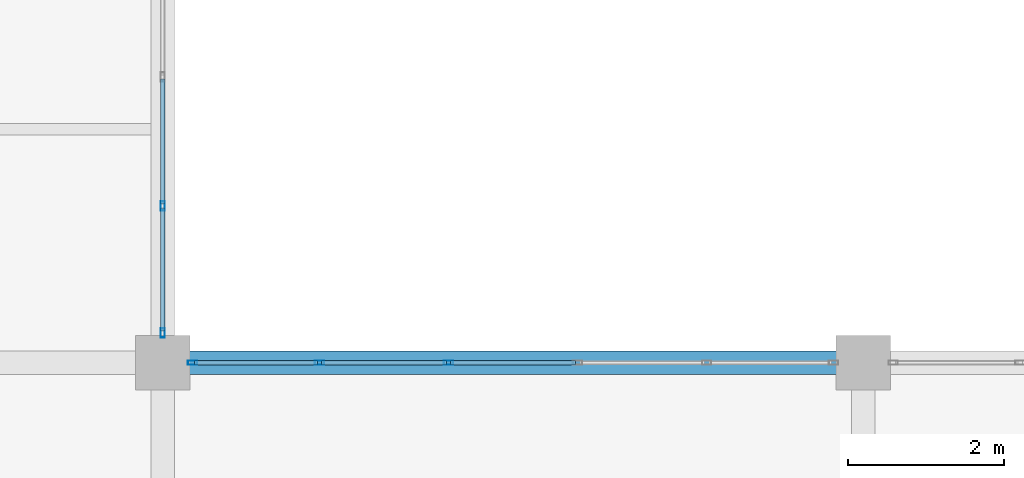
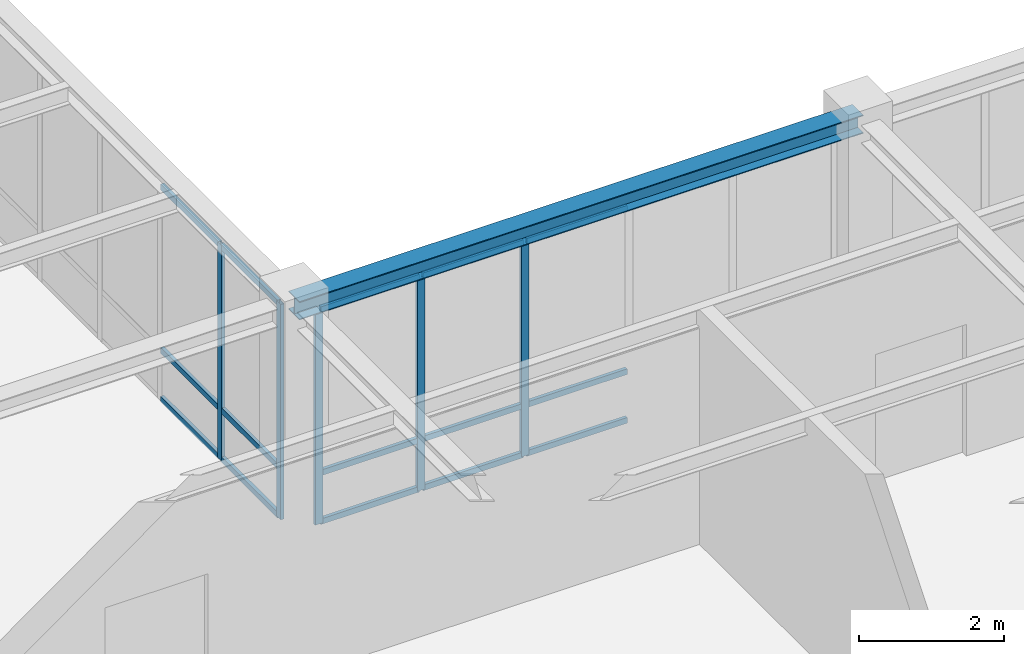
# One storey, part 50 of 108: 20 members, 1 beam, 2 elements without a shape of their own.
"""IFC4 building model written with IfcOpenShell, lengths in metres."""

from ifc_helpers import new_model, si_unit, direction, frame, origin, origin_2d, place, context, subcontext, project, spatial, hollow_rectangle, i_section, extrude, material, material_profile, profile_set, type_object, element, aggregate, save


model = new_model("IFC4")

# Units and contexts
model_context = context("Model", 3, precision=1e-05, world=origin(), true_north=direction((0.0, 1.0)))
body_context = subcontext(model_context, "Body", "Model", "MODEL_VIEW")
ifc_project = project(units=[si_unit("LENGTHUNIT", "METRE"), si_unit("AREAUNIT", "SQUARE_METRE"), si_unit("VOLUMEUNIT", "CUBIC_METRE"), si_unit("PLANEANGLEUNIT", "RADIAN"), si_unit("MASSUNIT", "GRAM", prefix="KILO")], contexts=[model_context])

# Site, building, storey
site_placement = place(None, origin())
site = spatial("IfcSite", under=ifc_project, at=site_placement, CompositionType="ELEMENT")
building_placement = place(site_placement, origin())
building = spatial("IfcBuilding", under=site, at=building_placement, Name="Lykobir Media Centre", CompositionType="ELEMENT")
storey_placement = place(building_placement, frame((0.0, 0.0, 15.0)))
storey = spatial("IfcBuildingStorey", under=building, at=storey_placement, Name="L03", CompositionType="ELEMENT", Elevation=15.0)

# Curtain wall, members
ifc_material_1 = material(Name="Anodized Aluminium AW-6060", Category="aluminium")
curtain_wall_type = type_object("IfcCurtainWallType", Name="CW-COURT-B", PredefinedType="NOTDEFINED", material=ifc_material_1)
curtain_wall_1_placement = place(storey_placement, origin())
curtain_wall_1 = element("IfcCurtainWall", 1, at=curtain_wall_1_placement, inside=storey, type_object=curtain_wall_type, Name="Curtain wall CW2-L03-0137", PredefinedType="NOTDEFINED")
ifc_material_profile_1 = material_profile(ifc_material_1, hollow_rectangle(XDim=0.054931640625, YDim=0.1201171875, WallThickness=0.003173828125, at=origin_2d()), Name="ALU MULLION 55x120")
ifc_profile_set_1 = profile_set([ifc_material_profile_1], Name="Anodized Aluminium AW-6060")
member_type_1 = type_object("IfcMemberType", Name="CWM-120", PredefinedType="MULLION", material=ifc_profile_set_1)
member_1_placement = place(storey_placement, frame((99.382568359375, 18.0, 0.0), z_axis=(0.0, 0.0, 1.0), x_axis=(0.0, 1.0, 0.0)))
member_1 = element("IfcMember", 2, at=member_1_placement, type_object=member_type_1, Name="CW2-L03-0137 mullion 1", PredefinedType="MULLION", context=body_context, shape_type="SweptSolid", body=[
    extrude(hollow_rectangle(XDim=0.054931640625, YDim=0.1201171875, WallThickness=0.003173828125, at=origin_2d()), origin(), (0.0, 0.0, 1.0), 3.635009765625),
])
member_2_placement = place(storey_placement, frame((101.012939453125, 18.0, 0.0), z_axis=(0.0, 0.0, 1.0), x_axis=(0.0, 1.0, 0.0)))
member_2 = element("IfcMember", 3, at=member_2_placement, type_object=member_type_1, Name="CW2-L03-0137 mullion 2", PredefinedType="MULLION", context=body_context, shape_type="SweptSolid", body=[
    extrude(hollow_rectangle(XDim=0.054931640625, YDim=0.1201171875, WallThickness=0.003173828125, at=origin_2d()), origin(), (0.0, 0.0, 1.0), 3.635009765625),
])
member_3_placement = place(storey_placement, frame((102.6708984375, 18.0, 0.0), z_axis=(0.0, 0.0, 1.0), x_axis=(0.0, 1.0, 0.0)))
member_3 = element("IfcMember", 4, at=member_3_placement, type_object=member_type_1, Name="CW2-L03-0137 mullion 3", PredefinedType="MULLION", context=body_context, shape_type="SweptSolid", body=[
    extrude(hollow_rectangle(XDim=0.054931640625, YDim=0.1201171875, WallThickness=0.003173828125, at=origin_2d()), origin(), (0.0, 0.0, 1.0), 3.635009765625),
])

curtain_wall_2_placement = place(storey_placement, origin())
curtain_wall_2 = element("IfcCurtainWall", 5, at=curtain_wall_2_placement, inside=storey, type_object=curtain_wall_type, Name="Curtain wall CW2-L03-0140", PredefinedType="NOTDEFINED")
member_4_placement = place(storey_placement, frame((99.0, 20.012939453125, 0.0), z_axis=(0.0, 0.0, 1.0), x_axis=(1.0, 0.0, 0.0)))
member_4 = element("IfcMember", 6, at=member_4_placement, type_object=member_type_1, Name="CW2-L03-0140 mullion 5", PredefinedType="MULLION", context=body_context, shape_type="SweptSolid", body=[
    extrude(hollow_rectangle(XDim=0.054931640625, YDim=0.1201171875, WallThickness=0.003173828125, at=origin_2d()), origin(), (0.0, 0.0, 1.0), 3.635009765625),
])
member_5_placement = place(storey_placement, frame((99.0, 18.382568359375, 0.0), z_axis=(0.0, 0.0, 1.0), x_axis=(1.0, 0.0, 0.0)))
member_5 = element("IfcMember", 7, at=member_5_placement, type_object=member_type_1, Name="CW2-L03-0140 mullion 6", PredefinedType="MULLION", context=body_context, shape_type="SweptSolid", body=[
    extrude(hollow_rectangle(XDim=0.054931640625, YDim=0.1201171875, WallThickness=0.003173828125, at=origin_2d()), origin(), (0.0, 0.0, 1.0), 3.635009765625),
])

# Member
ifc_material_profile_2 = material_profile(ifc_material_1, hollow_rectangle(XDim=0.054931640625, YDim=0.094970703125, WallThickness=0.0029296875, at=origin_2d()), Name="ALU TRANSOM 55x95")
ifc_profile_set_2 = profile_set([ifc_material_profile_2], Name="Anodized Aluminium AW-6060")
member_type_2 = type_object("IfcMemberType", Name="CWT-095", PredefinedType="USERDEFINED", material=ifc_profile_set_2)
member_6_placement = place(storey_placement, frame((99.409912109375, 18.0, 0.027587890625), z_axis=(1.0, 0.0, 0.0), x_axis=(0.0, 1.0, 0.0)))
member_6 = element("IfcMember", 8, at=member_6_placement, type_object=member_type_2, Name="CW2-L03-0137 transom 1.1", ObjectType="TRANSOM", PredefinedType="USERDEFINED", context=body_context, shape_type="SweptSolid", body=[
    extrude(hollow_rectangle(XDim=0.054931640625, YDim=0.094970703125, WallThickness=0.0029296875, at=origin_2d()), origin(), (0.0, 0.0, 1.0), 1.57568359375),
])

member_7_placement = place(storey_placement, frame((99.409912109375, 18.0, 0.85009765625), z_axis=(1.0, 0.0, 0.0), x_axis=(0.0, 1.0, 0.0)))
member_7 = element("IfcMember", 9, at=member_7_placement, type_object=member_type_2, Name="CW2-L03-0137 transom 1.2", ObjectType="TRANSOM", PredefinedType="USERDEFINED", context=body_context, shape_type="SweptSolid", body=[
    extrude(hollow_rectangle(XDim=0.054931640625, YDim=0.094970703125, WallThickness=0.0029296875, at=origin_2d()), origin(), (0.0, 0.0, 1.0), 1.57568359375),
])

member_8_placement = place(storey_placement, frame((99.409912109375, 18.0, 3.607421875), z_axis=(1.0, 0.0, 0.0), x_axis=(0.0, 1.0, 0.0)))
member_8 = element("IfcMember", 10, at=member_8_placement, type_object=member_type_2, Name="CW2-L03-0137 transom 1.3", ObjectType="TRANSOM", PredefinedType="USERDEFINED", context=body_context, shape_type="SweptSolid", body=[
    extrude(hollow_rectangle(XDim=0.054931640625, YDim=0.094970703125, WallThickness=0.0029296875, at=origin_2d()), origin(), (0.0, 0.0, 1.0), 1.57568359375),
])

member_9_placement = place(storey_placement, frame((101.04052734375, 18.0, 0.027587890625), z_axis=(1.0, 0.0, 0.0), x_axis=(0.0, 1.0, 0.0)))
member_9 = element("IfcMember", 11, at=member_9_placement, type_object=member_type_2, Name="CW2-L03-0137 transom 2.1", ObjectType="TRANSOM", PredefinedType="USERDEFINED", context=body_context, shape_type="SweptSolid", body=[
    extrude(hollow_rectangle(XDim=0.054931640625, YDim=0.094970703125, WallThickness=0.0029296875, at=origin_2d()), origin(), (0.0, 0.0, 1.0), 1.60302734375),
])

member_10_placement = place(storey_placement, frame((101.04052734375, 18.0, 0.85009765625), z_axis=(1.0, 0.0, 0.0), x_axis=(0.0, 1.0, 0.0)))
member_10 = element("IfcMember", 12, at=member_10_placement, type_object=member_type_2, Name="CW2-L03-0137 transom 2.2", ObjectType="TRANSOM", PredefinedType="USERDEFINED", context=body_context, shape_type="SweptSolid", body=[
    extrude(hollow_rectangle(XDim=0.054931640625, YDim=0.094970703125, WallThickness=0.0029296875, at=origin_2d()), origin(), (0.0, 0.0, 1.0), 1.60302734375),
])

member_11_placement = place(storey_placement, frame((101.04052734375, 18.0, 3.607421875), z_axis=(1.0, 0.0, 0.0), x_axis=(0.0, 1.0, 0.0)))
member_11 = element("IfcMember", 13, at=member_11_placement, type_object=member_type_2, Name="CW2-L03-0137 transom 2.3", ObjectType="TRANSOM", PredefinedType="USERDEFINED", context=body_context, shape_type="SweptSolid", body=[
    extrude(hollow_rectangle(XDim=0.054931640625, YDim=0.094970703125, WallThickness=0.0029296875, at=origin_2d()), origin(), (0.0, 0.0, 1.0), 1.60302734375),
])

member_12_placement = place(storey_placement, frame((102.698486328125, 18.0, 0.027587890625), z_axis=(1.0, 0.0, 0.0), x_axis=(0.0, 1.0, 0.0)))
member_12 = element("IfcMember", 14, at=member_12_placement, type_object=member_type_2, Name="CW2-L03-0137 transom 3.1", ObjectType="TRANSOM", PredefinedType="USERDEFINED", context=body_context, shape_type="SweptSolid", body=[
    extrude(hollow_rectangle(XDim=0.054931640625, YDim=0.094970703125, WallThickness=0.0029296875, at=origin_2d()), origin(), (0.0, 0.0, 1.0), 1.60302734375),
])

member_13_placement = place(storey_placement, frame((102.698486328125, 18.0, 0.85009765625), z_axis=(1.0, 0.0, 0.0), x_axis=(0.0, 1.0, 0.0)))
member_13 = element("IfcMember", 15, at=member_13_placement, type_object=member_type_2, Name="CW2-L03-0137 transom 3.2", ObjectType="TRANSOM", PredefinedType="USERDEFINED", context=body_context, shape_type="SweptSolid", body=[
    extrude(hollow_rectangle(XDim=0.054931640625, YDim=0.094970703125, WallThickness=0.0029296875, at=origin_2d()), origin(), (0.0, 0.0, 1.0), 1.60302734375),
])

member_14_placement = place(storey_placement, frame((102.698486328125, 18.0, 3.607421875), z_axis=(1.0, 0.0, 0.0), x_axis=(0.0, 1.0, 0.0)))
member_14 = element("IfcMember", 16, at=member_14_placement, type_object=member_type_2, Name="CW2-L03-0137 transom 3.3", ObjectType="TRANSOM", PredefinedType="USERDEFINED", context=body_context, shape_type="SweptSolid", body=[
    extrude(hollow_rectangle(XDim=0.054931640625, YDim=0.094970703125, WallThickness=0.0029296875, at=origin_2d()), origin(), (0.0, 0.0, 1.0), 1.60302734375),
])

aggregate(curtain_wall_1, [member_1, member_2, member_3, member_6, member_7, member_8, member_9, member_10, member_11, member_12, member_13, member_14])

member_15_placement = place(storey_placement, frame((99.0, 21.6435546875, 0.027587890625), z_axis=(0.0, -1.0, 0.0), x_axis=(1.0, 0.0, 0.0)))
member_15 = element("IfcMember", 17, at=member_15_placement, type_object=member_type_2, Name="CW2-L03-0140 transom 4.1", ObjectType="TRANSOM", PredefinedType="USERDEFINED", context=body_context, shape_type="SweptSolid", body=[
    extrude(hollow_rectangle(XDim=0.054931640625, YDim=0.094970703125, WallThickness=0.0029296875, at=origin_2d()), origin(), (0.0, 0.0, 1.0), 1.60302734375),
])

member_16_placement = place(storey_placement, frame((99.0, 21.6435546875, 0.85009765625), z_axis=(0.0, -1.0, 0.0), x_axis=(1.0, 0.0, 0.0)))
member_16 = element("IfcMember", 18, at=member_16_placement, type_object=member_type_2, Name="CW2-L03-0140 transom 4.2", ObjectType="TRANSOM", PredefinedType="USERDEFINED", context=body_context, shape_type="SweptSolid", body=[
    extrude(hollow_rectangle(XDim=0.054931640625, YDim=0.094970703125, WallThickness=0.0029296875, at=origin_2d()), origin(), (0.0, 0.0, 1.0), 1.60302734375),
])

member_17_placement = place(storey_placement, frame((99.0, 21.6435546875, 3.607421875), z_axis=(0.0, -1.0, 0.0), x_axis=(1.0, 0.0, 0.0)))
member_17 = element("IfcMember", 19, at=member_17_placement, type_object=member_type_2, Name="CW2-L03-0140 transom 4.3", ObjectType="TRANSOM", PredefinedType="USERDEFINED", context=body_context, shape_type="SweptSolid", body=[
    extrude(hollow_rectangle(XDim=0.054931640625, YDim=0.094970703125, WallThickness=0.0029296875, at=origin_2d()), origin(), (0.0, 0.0, 1.0), 1.60302734375),
])

member_18_placement = place(storey_placement, frame((99.0, 19.985595703125, 0.027587890625), z_axis=(0.0, -1.0, 0.0), x_axis=(1.0, 0.0, 0.0)))
member_18 = element("IfcMember", 20, at=member_18_placement, type_object=member_type_2, Name="CW2-L03-0140 transom 5.1", ObjectType="TRANSOM", PredefinedType="USERDEFINED", context=body_context, shape_type="SweptSolid", body=[
    extrude(hollow_rectangle(XDim=0.054931640625, YDim=0.094970703125, WallThickness=0.0029296875, at=origin_2d()), origin(), (0.0, 0.0, 1.0), 1.57568359375),
])

member_19_placement = place(storey_placement, frame((99.0, 19.985595703125, 0.85009765625), z_axis=(0.0, -1.0, 0.0), x_axis=(1.0, 0.0, 0.0)))
member_19 = element("IfcMember", 21, at=member_19_placement, type_object=member_type_2, Name="CW2-L03-0140 transom 5.2", ObjectType="TRANSOM", PredefinedType="USERDEFINED", context=body_context, shape_type="SweptSolid", body=[
    extrude(hollow_rectangle(XDim=0.054931640625, YDim=0.094970703125, WallThickness=0.0029296875, at=origin_2d()), origin(), (0.0, 0.0, 1.0), 1.57568359375),
])

member_20_placement = place(storey_placement, frame((99.0, 19.985595703125, 3.607421875), z_axis=(0.0, -1.0, 0.0), x_axis=(1.0, 0.0, 0.0)))
member_20 = element("IfcMember", 22, at=member_20_placement, type_object=member_type_2, Name="CW2-L03-0140 transom 5.3", ObjectType="TRANSOM", PredefinedType="USERDEFINED", context=body_context, shape_type="SweptSolid", body=[
    extrude(hollow_rectangle(XDim=0.054931640625, YDim=0.094970703125, WallThickness=0.0029296875, at=origin_2d()), origin(), (0.0, 0.0, 1.0), 1.57568359375),
])

aggregate(curtain_wall_2, [member_4, member_5, member_15, member_16, member_17, member_18, member_19, member_20])

# Beam
ifc_material_2 = material(Name="Steel S355", Category="steel")
ifc_material_profile_3 = material_profile(ifc_material_2, i_section(OverallWidth=0.300048828125, OverallDepth=0.31005859375, WebThickness=0.009033203125, FlangeThickness=0.015380859375, at=origin_2d()), Name="HEA 320")
ifc_profile_set_3 = profile_set([ifc_material_profile_3], Name="Steel S355")
beam_type = type_object("IfcBeamType", Name="SP-HEA320", PredefinedType="SPANDREL", material=ifc_profile_set_3)
beam_placement = place(storey_placement, frame((99.0, 18.0, 3.804931640625), z_axis=(1.0, 0.0, 0.0), x_axis=(0.0, 1.0, 0.0)))
element("IfcBeam", 23, at=beam_placement, inside=storey, type_object=beam_type, Name="Beam BM-L03-0990-0180-1080-0180-1880", PredefinedType="SPANDREL", context=body_context, shape_type="SweptSolid", body=[
    extrude(i_section(OverallWidth=0.300048828125, OverallDepth=0.31005859375, WebThickness=0.009033203125, FlangeThickness=0.015380859375, at=origin_2d()), origin(), (0.0, 0.0, 1.0), 9.0),
])

save(model, "model.ifc")
